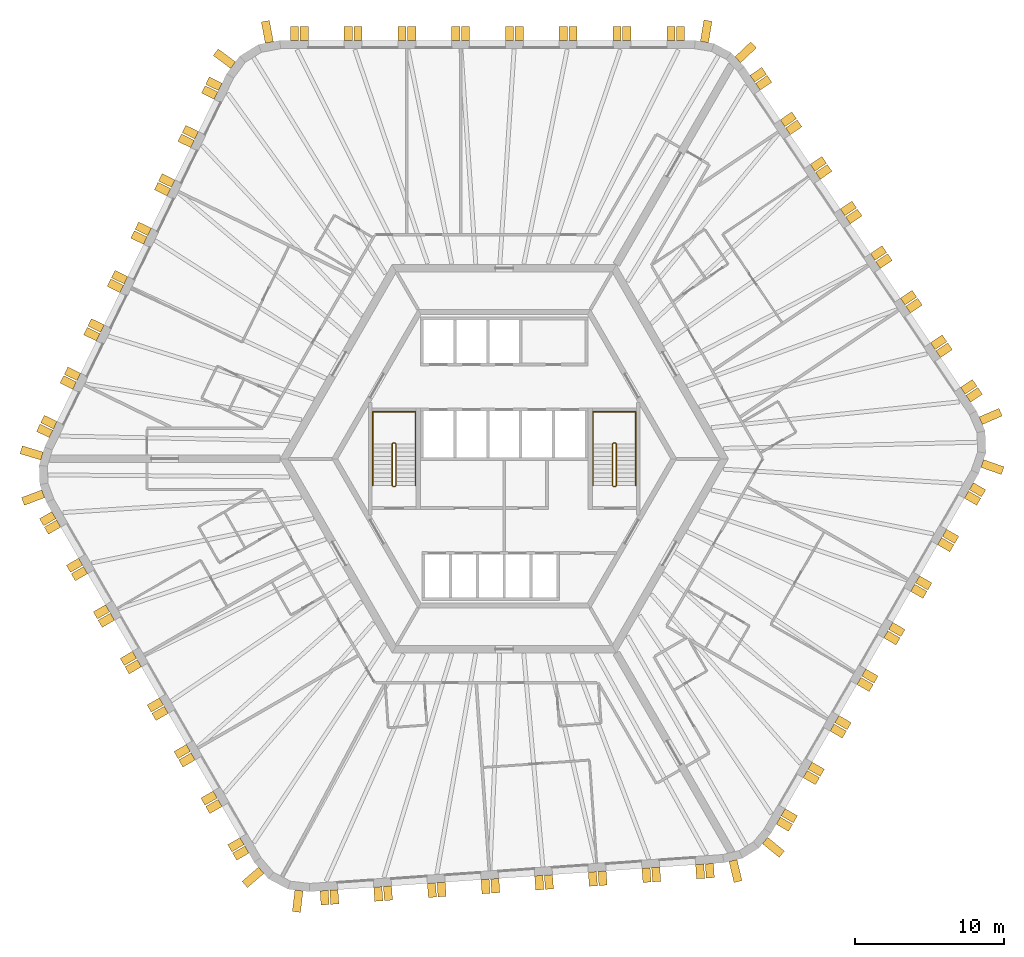
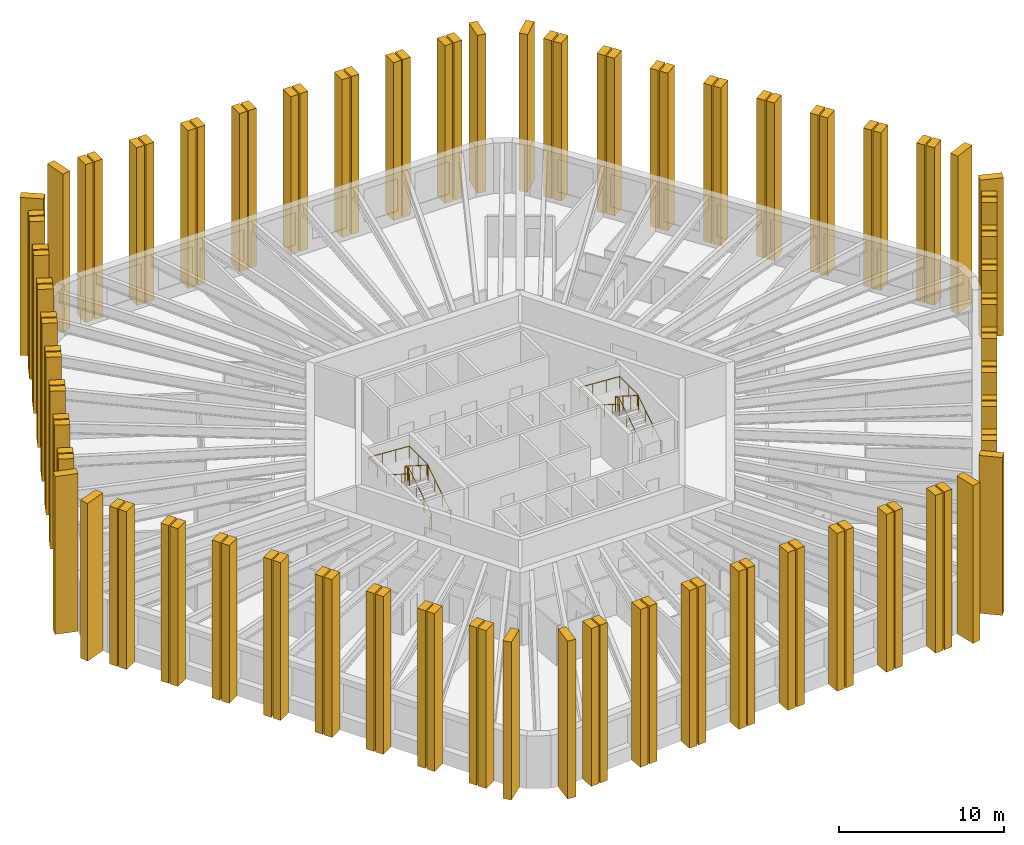
# One storey, part 10 of 10: 108 shading devices, 4 railings.
"""IFC4 building model written with IfcOpenShell, lengths in metres."""

from ifc_helpers import new_model, si_unit, direction, frame, origin, origin_2d, place, context, subcontext, project, spatial, polyline, circle, outline, extrude, material, layer, layer_set, type_object, element, save


model = new_model("IFC4")

# Units and contexts
model_context = context("Model", 3, precision=1e-05, world=origin(), true_north=direction((0.0, 1.0)))
body_context = subcontext(model_context, "Body", "Model", "MODEL_VIEW")
ifc_project = project(units=[si_unit("LENGTHUNIT", "METRE"), si_unit("AREAUNIT", "SQUARE_METRE"), si_unit("VOLUMEUNIT", "CUBIC_METRE"), si_unit("PLANEANGLEUNIT", "RADIAN"), si_unit("MASSUNIT", "GRAM", prefix="KILO")], contexts=[model_context])

# Site, building, storey
site_placement = place(None, origin())
site = spatial("IfcSite", under=ifc_project, at=site_placement, CompositionType="ELEMENT")
building_placement = place(site_placement, origin())
building = spatial("IfcBuilding", under=site, at=building_placement, Name="Tarnside Tower", CompositionType="ELEMENT")
storey_placement = place(building_placement, frame((0.0, 0.0, 164.39990234375)))
storey = spatial("IfcBuildingStorey", under=building, at=storey_placement, Name="L38", CompositionType="ELEMENT", Elevation=164.39990234375)

# Shading devices
ifc_material_1 = material(Name="Concrete C50/60 white precast", Category="concrete")
ifc_layer_1 = layer(ifc_material_1, 0.550048828125)
ifc_layer_set_1 = layer_set([ifc_layer_1], Name="Precast fin 550 x 1450")
shading_device_type_1 = type_object("IfcShadingDeviceType", Name="Precast fin 550 x 1450", PredefinedType="USERDEFINED", material=ifc_layer_set_1)
for number, where, z_axis, x_axis, name in (
    (1, (-15.725341796875, 27.86767578125, -0.14990234375), (0.982720646705, 0.18509492305, 0.0), (-0.18509492305, 0.982720646705, 0.0), "Precast fin"),
    (2, (-18.15380859375, 26.35009765625, -0.14990234375), (0.597158591707, 0.802123192752, 0.0), (-0.802123192752, 0.597158591707, 0.0), "Precast fin"),
    (3, (-30.949951171875, 0.184326171875, -0.14990234375), (0.286803232717, 0.957989512314, 0.0), (-0.957989512314, 0.286803232717, 0.0), "Precast fin"),
    (4, (-30.861572265625, -2.343017578125, -0.14990234375), (-0.352930564719, 0.935649515837, 0.0), (-0.935649515837, -0.352930564719, 0.0), "Precast fin"),
    (5, (-16.271484375, -27.55224609375, -0.14990234375), (-0.651657228826, 0.758513583345, 0.0), (-0.758513583345, -0.651657228826, 0.0), "Precast fin"),
    (6, (-13.7431640625, -28.896728515625, -0.14990234375), (-0.993238357741, 0.116092914131, 0.0), (-0.116092914131, -0.993238357741, 0.0), "Precast fin"),
    (7, (15.315185546875, -26.8955078125, -0.14990234375), (-0.973044870581, -0.230615870737, 0.0), (0.230615870737, -0.973044870581, 0.0), "Precast fin"),
    (8, (17.4599609375, -25.555419921875, -0.14990234375), (-0.633830967394, -0.773471592738, 0.0), (0.773471592738, -0.633830967394, 0.0), "Precast fin"),
    (9, (31.996826171875, -0.315185546875, -0.14990234375), (-0.331063417879, -0.943608506396, 0.0), (0.943608506396, -0.331063417879, 0.0), "Precast fin"),
    (10, (31.896728515625, 2.54638671875, -0.14990234375), (0.396079766034, -0.918216106883, 0.0), (0.918216106883, 0.396079766034, 0.0), "Precast fin"),
    (11, (15.634765625, 26.711181640625, -0.14990234375), (0.686241637865, -0.727373641577, 0.0), (0.727373641577, 0.686241637865, 0.0), "Precast fin"),
    (12, (13.40185546875, 27.8984375, -0.14990234375), (0.986761532114, -0.1621779231, 0.0), (0.1621779231, 0.986761532114, 0.0), "Precast fin"),
):
    element("IfcShadingDevice", number, at=place(storey_placement, frame(where, z_axis=z_axis, x_axis=x_axis)), inside=storey, type_object=shading_device_type_1, Name=name, ObjectType="FIN", PredefinedType="USERDEFINED", context=body_context, shape_type="SweptSolid", body=[
        extrude(outline(polyline([(0.0, 0.0), (1.449951171875, 0.0), (1.449951171875, 11.699951171875), (0.0, 11.699951171875), (0.0, 0.0)])), frame((0.0, 0.0, -0.27490234375)), (0.0, 0.0, 1.0), 0.550048828125),
    ])
ifc_layer_2 = layer(ifc_material_1, 0.550048828125)
ifc_layer_set_2 = layer_set([ifc_layer_2], Name="Precast fin 550 x 950")
shading_device_type_2 = type_object("IfcShadingDeviceType", Name="Precast fin 550 x 950", PredefinedType="USERDEFINED", material=ifc_layer_set_2)
for number, where, z_axis, x_axis, name in (
    (13, (11.80712890625, 28.0, -0.14990234375), (1.0, 0.0, 0.0), (0.0, 1.0, 0.0), "Precast fin"),
    (14, (11.1572265625, 28.0, -0.14990234375), (1.0, 0.0, 0.0), (0.0, 1.0, 0.0), "Precast fin"),
    (15, (8.20703125, 28.0, -0.14990234375), (1.0, 0.0, 0.0), (0.0, 1.0, 0.0), "Precast fin"),
    (16, (7.55712890625, 28.0, -0.14990234375), (1.0, 0.0, 0.0), (0.0, 1.0, 0.0), "Precast fin"),
    (17, (4.607177734375, 28.0, -0.14990234375), (1.0, 0.0, 0.0), (0.0, 1.0, 0.0), "Precast fin"),
    (18, (3.95703125, 28.0, -0.14990234375), (1.0, 0.0, 0.0), (0.0, 1.0, 0.0), "Precast fin"),
    (19, (1.007080078125, 28.0, -0.14990234375), (1.0, 0.0, 0.0), (0.0, 1.0, 0.0), "Precast fin"),
    (20, (0.357177734375, 28.0, -0.14990234375), (1.0, 0.0, 0.0), (0.0, 1.0, 0.0), "Precast fin"),
    (21, (-2.5927734375, 28.0, -0.14990234375), (1.0, 0.0, 0.0), (0.0, 1.0, 0.0), "Precast fin"),
    (22, (-3.242919921875, 28.0, -0.14990234375), (1.0, 0.0, 0.0), (0.0, 1.0, 0.0), "Precast fin"),
    (23, (-6.19287109375, 28.0, -0.14990234375), (1.0, 0.0, 0.0), (0.0, 1.0, 0.0), "Precast fin"),
    (24, (-6.8427734375, 28.0, -0.14990234375), (1.0, 0.0, 0.0), (0.0, 1.0, 0.0), "Precast fin"),
    (25, (-9.79296875, 28.0, -0.14990234375), (1.0, 0.0, 0.0), (0.0, 1.0, 0.0), "Precast fin"),
    (26, (-10.44287109375, 28.0, -0.14990234375), (1.0, 0.0, 0.0), (0.0, 1.0, 0.0), "Precast fin"),
    (27, (-13.392822265625, 28.0, -0.14990234375), (1.0, 0.0, 0.0), (0.0, 1.0, 0.0), "Precast fin"),
    (28, (-14.04296875, 28.0, -0.14990234375), (1.0, 0.0, 0.0), (0.0, 1.0, 0.0), "Precast fin"),
    (29, (-19.01025390625, 24.896240234375, -0.14990234375), (0.438371146789, 0.898794046299, 0.0), (-0.898794046299, 0.438371146789, 0.0), "Precast fin"),
    (30, (-19.295166015625, 24.31201171875, -0.14990234375), (0.438371146789, 0.898794046299, 0.0), (-0.898794046299, 0.438371146789, 0.0), "Precast fin"),
    (31, (-20.58837890625, 21.660400390625, -0.14990234375), (0.438371146789, 0.898794046299, 0.0), (-0.898794046299, 0.438371146789, 0.0), "Precast fin"),
    (32, (-20.873291015625, 21.076171875, -0.14990234375), (0.438371146789, 0.898794046299, 0.0), (-0.898794046299, 0.438371146789, 0.0), "Precast fin"),
    (33, (-22.16650390625, 18.4248046875, -0.14990234375), (0.438371146789, 0.898794046299, 0.0), (-0.898794046299, 0.438371146789, 0.0), "Precast fin"),
    (34, (-22.451416015625, 17.840576171875, -0.14990234375), (0.438371146789, 0.898794046299, 0.0), (-0.898794046299, 0.438371146789, 0.0), "Precast fin"),
    (35, (-23.74462890625, 15.189208984375, -0.14990234375), (0.438371146789, 0.898794046299, 0.0), (-0.898794046299, 0.438371146789, 0.0), "Precast fin"),
    (36, (-24.029541015625, 14.60498046875, -0.14990234375), (0.438371146789, 0.898794046299, 0.0), (-0.898794046299, 0.438371146789, 0.0), "Precast fin"),
    (37, (-25.32275390625, 11.953369140625, -0.14990234375), (0.438371146789, 0.898794046299, 0.0), (-0.898794046299, 0.438371146789, 0.0), "Precast fin"),
    (38, (-25.607666015625, 11.369384765625, -0.14990234375), (0.438371146789, 0.898794046299, 0.0), (-0.898794046299, 0.438371146789, 0.0), "Precast fin"),
    (39, (-26.90087890625, 8.7177734375, -0.14990234375), (0.438371146789, 0.898794046299, 0.0), (-0.898794046299, 0.438371146789, 0.0), "Precast fin"),
    (40, (-27.185791015625, 8.133544921875, -0.14990234375), (0.438371146789, 0.898794046299, 0.0), (-0.898794046299, 0.438371146789, 0.0), "Precast fin"),
    (41, (-28.47900390625, 5.482177734375, -0.14990234375), (0.438371146789, 0.898794046299, 0.0), (-0.898794046299, 0.438371146789, 0.0), "Precast fin"),
    (42, (-28.763916015625, 4.89794921875, -0.14990234375), (0.438371146789, 0.898794046299, 0.0), (-0.898794046299, 0.438371146789, 0.0), "Precast fin"),
    (43, (-30.05712890625, 2.24658203125, -0.14990234375), (0.438371146789, 0.898794046299, 0.0), (-0.898794046299, 0.438371146789, 0.0), "Precast fin"),
    (44, (-30.342041015625, 1.662353515625, -0.14990234375), (0.438371146789, 0.898794046299, 0.0), (-0.898794046299, 0.438371146789, 0.0), "Precast fin"),
    (45, (-30.15234375, -3.774658203125, -0.14990234375), (-0.5, 0.866025403784, 0.0), (-0.866025403784, -0.5, 0.0), "Precast fin"),
    (46, (-29.827392578125, -4.337646484375, -0.14990234375), (-0.5, 0.866025403784, 0.0), (-0.866025403784, -0.5, 0.0), "Precast fin"),
    (47, (-28.352294921875, -6.892333984375, -0.14990234375), (-0.5, 0.866025403784, 0.0), (-0.866025403784, -0.5, 0.0), "Precast fin"),
    (48, (-28.02734375, -7.455322265625, -0.14990234375), (-0.5, 0.866025403784, 0.0), (-0.866025403784, -0.5, 0.0), "Precast fin"),
    (49, (-26.55224609375, -10.010009765625, -0.14990234375), (-0.5, 0.866025403784, 0.0), (-0.866025403784, -0.5, 0.0), "Precast fin"),
    (50, (-26.227294921875, -10.572998046875, -0.14990234375), (-0.5, 0.866025403784, 0.0), (-0.866025403784, -0.5, 0.0), "Precast fin"),
    (51, (-24.752197265625, -13.127685546875, -0.14990234375), (-0.5, 0.866025403784, 0.0), (-0.866025403784, -0.5, 0.0), "Precast fin"),
    (52, (-24.42724609375, -13.690673828125, -0.14990234375), (-0.5, 0.866025403784, 0.0), (-0.866025403784, -0.5, 0.0), "Precast fin"),
    (53, (-22.952392578125, -16.24560546875, -0.14990234375), (-0.5, 0.866025403784, 0.0), (-0.866025403784, -0.5, 0.0), "Precast fin"),
    (54, (-22.627197265625, -16.808349609375, -0.14990234375), (-0.5, 0.866025403784, 0.0), (-0.866025403784, -0.5, 0.0), "Precast fin"),
    (55, (-21.15234375, -19.36328125, -0.14990234375), (-0.5, 0.866025403784, 0.0), (-0.866025403784, -0.5, 0.0), "Precast fin"),
    (56, (-20.827392578125, -19.926025390625, -0.14990234375), (-0.5, 0.866025403784, 0.0), (-0.866025403784, -0.5, 0.0), "Precast fin"),
    (57, (-19.352294921875, -22.48095703125, -0.14990234375), (-0.5, 0.866025403784, 0.0), (-0.866025403784, -0.5, 0.0), "Precast fin"),
    (58, (-19.02734375, -23.043701171875, -0.14990234375), (-0.5, 0.866025403784, 0.0), (-0.866025403784, -0.5, 0.0), "Precast fin"),
    (59, (-17.55224609375, -25.5986328125, -0.14990234375), (-0.5, 0.866025403784, 0.0), (-0.866025403784, -0.5, 0.0), "Precast fin"),
    (60, (-17.227294921875, -26.161376953125, -0.14990234375), (-0.5, 0.866025403784, 0.0), (-0.866025403784, -0.5, 0.0), "Precast fin"),
    (61, (-12.0556640625, -28.911376953125, -0.14990234375), (-0.99756405026, -0.069756473744, 0.0), (0.069756473744, -0.99756405026, 0.0), "Precast fin"),
    (62, (-11.4072265625, -28.865966796875, -0.14990234375), (-0.99756405026, -0.069756473744, 0.0), (0.069756473744, -0.99756405026, 0.0), "Precast fin"),
    (63, (-8.46435546875, -28.66015625, -0.14990234375), (-0.99756405026, -0.069756473744, 0.0), (0.069756473744, -0.99756405026, 0.0), "Precast fin"),
    (64, (-7.81591796875, -28.614990234375, -0.14990234375), (-0.99756405026, -0.069756473744, 0.0), (0.069756473744, -0.99756405026, 0.0), "Precast fin"),
    (65, (-4.873046875, -28.4091796875, -0.14990234375), (-0.99756405026, -0.069756473744, 0.0), (0.069756473744, -0.99756405026, 0.0), "Precast fin"),
    (66, (-4.224609375, -28.36376953125, -0.14990234375), (-0.99756405026, -0.069756473744, 0.0), (0.069756473744, -0.99756405026, 0.0), "Precast fin"),
    (67, (-1.281982421875, -28.157958984375, -0.14990234375), (-0.99756405026, -0.069756473744, 0.0), (0.069756473744, -0.99756405026, 0.0), "Precast fin"),
    (68, (-0.633544921875, -28.112548828125, -0.14990234375), (-0.99756405026, -0.069756473744, 0.0), (0.069756473744, -0.99756405026, 0.0), "Precast fin"),
    (69, (2.309326171875, -27.906982421875, -0.14990234375), (-0.99756405026, -0.069756473744, 0.0), (0.069756473744, -0.99756405026, 0.0), "Precast fin"),
    (70, (2.957763671875, -27.861572265625, -0.14990234375), (-0.99756405026, -0.069756473744, 0.0), (0.069756473744, -0.99756405026, 0.0), "Precast fin"),
    (71, (5.900634765625, -27.65576171875, -0.14990234375), (-0.99756405026, -0.069756473744, 0.0), (0.069756473744, -0.99756405026, 0.0), "Precast fin"),
    (72, (6.549072265625, -27.6103515625, -0.14990234375), (-0.99756405026, -0.069756473744, 0.0), (0.069756473744, -0.99756405026, 0.0), "Precast fin"),
    (73, (9.49169921875, -27.404541015625, -0.14990234375), (-0.99756405026, -0.069756473744, 0.0), (0.069756473744, -0.99756405026, 0.0), "Precast fin"),
    (74, (10.14013671875, -27.359375, -0.14990234375), (-0.99756405026, -0.069756473744, 0.0), (0.069756473744, -0.99756405026, 0.0), "Precast fin"),
    (75, (13.0830078125, -27.153564453125, -0.14990234375), (-0.99756405026, -0.069756473744, 0.0), (0.069756473744, -0.99756405026, 0.0), "Precast fin"),
    (76, (13.7314453125, -27.108154296875, -0.14990234375), (-0.99756405026, -0.069756473744, 0.0), (0.069756473744, -0.99756405026, 0.0), "Precast fin"),
    (77, (18.34521484375, -24.225341796875, -0.14990234375), (-0.5, -0.866025403784, 0.0), (0.866025403784, -0.5, 0.0), "Precast fin"),
    (78, (18.670166015625, -23.662353515625, -0.14990234375), (-0.5, -0.866025403784, 0.0), (0.866025403784, -0.5, 0.0), "Precast fin"),
    (79, (20.145263671875, -21.107666015625, -0.14990234375), (-0.5, -0.866025403784, 0.0), (0.866025403784, -0.5, 0.0), "Precast fin"),
    (80, (20.47021484375, -20.544677734375, -0.14990234375), (-0.5, -0.866025403784, 0.0), (0.866025403784, -0.5, 0.0), "Precast fin"),
    (81, (21.945068359375, -17.989990234375, -0.14990234375), (-0.5, -0.866025403784, 0.0), (0.866025403784, -0.5, 0.0), "Precast fin"),
    (82, (22.270263671875, -17.427001953125, -0.14990234375), (-0.5, -0.866025403784, 0.0), (0.866025403784, -0.5, 0.0), "Precast fin"),
    (83, (23.7451171875, -14.872314453125, -0.14990234375), (-0.5, -0.866025403784, 0.0), (0.866025403784, -0.5, 0.0), "Precast fin"),
    (84, (24.070068359375, -14.309326171875, -0.14990234375), (-0.5, -0.866025403784, 0.0), (0.866025403784, -0.5, 0.0), "Precast fin"),
    (85, (25.545166015625, -11.75439453125, -0.14990234375), (-0.5, -0.866025403784, 0.0), (0.866025403784, -0.5, 0.0), "Precast fin"),
    (86, (25.8701171875, -11.191650390625, -0.14990234375), (-0.5, -0.866025403784, 0.0), (0.866025403784, -0.5, 0.0), "Precast fin"),
    (87, (27.34521484375, -8.63671875, -0.14990234375), (-0.5, -0.866025403784, 0.0), (0.866025403784, -0.5, 0.0), "Precast fin"),
    (88, (27.670166015625, -8.073974609375, -0.14990234375), (-0.5, -0.866025403784, 0.0), (0.866025403784, -0.5, 0.0), "Precast fin"),
    (89, (29.145263671875, -5.51904296875, -0.14990234375), (-0.5, -0.866025403784, 0.0), (0.866025403784, -0.5, 0.0), "Precast fin"),
    (90, (29.47021484375, -4.956298828125, -0.14990234375), (-0.5, -0.866025403784, 0.0), (0.866025403784, -0.5, 0.0), "Precast fin"),
    (91, (30.945068359375, -2.4013671875, -0.14990234375), (-0.5, -0.866025403784, 0.0), (0.866025403784, -0.5, 0.0), "Precast fin"),
    (92, (31.270263671875, -1.838623046875, -0.14990234375), (-0.5, -0.866025403784, 0.0), (0.866025403784, -0.5, 0.0), "Precast fin"),
    (93, (31.065673828125, 4.01513671875, -0.14990234375), (0.559192903471, -0.829037572555, 0.0), (0.829037572555, 0.559192903471, 0.0), "Precast fin"),
    (94, (30.702392578125, 4.55419921875, -0.14990234375), (0.559192903471, -0.829037572555, 0.0), (0.829037572555, 0.559192903471, 0.0), "Precast fin"),
    (95, (29.052734375, 6.999755859375, -0.14990234375), (0.559192903471, -0.829037572555, 0.0), (0.829037572555, 0.559192903471, 0.0), "Precast fin"),
    (96, (28.689208984375, 7.53857421875, -0.14990234375), (0.559192903471, -0.829037572555, 0.0), (0.829037572555, 0.559192903471, 0.0), "Precast fin"),
    (97, (27.03955078125, 9.984375, -0.14990234375), (0.559192903471, -0.829037572555, 0.0), (0.829037572555, 0.559192903471, 0.0), "Precast fin"),
    (98, (26.676025390625, 10.523193359375, -0.14990234375), (0.559192903471, -0.829037572555, 0.0), (0.829037572555, 0.559192903471, 0.0), "Precast fin"),
    (99, (25.026611328125, 12.96875, -0.14990234375), (0.559192903471, -0.829037572555, 0.0), (0.829037572555, 0.559192903471, 0.0), "Precast fin"),
    (100, (24.6630859375, 13.5078125, -0.14990234375), (0.559192903471, -0.829037572555, 0.0), (0.829037572555, 0.559192903471, 0.0), "Precast fin"),
    (101, (23.013427734375, 15.953369140625, -0.14990234375), (0.559192903471, -0.829037572555, 0.0), (0.829037572555, 0.559192903471, 0.0), "Precast fin"),
    (102, (22.64990234375, 16.4921875, -0.14990234375), (0.559192903471, -0.829037572555, 0.0), (0.829037572555, 0.559192903471, 0.0), "Precast fin"),
    (103, (21.000244140625, 18.93798828125, -0.14990234375), (0.559192903471, -0.829037572555, 0.0), (0.829037572555, 0.559192903471, 0.0), "Precast fin"),
    (104, (20.63671875, 19.476806640625, -0.14990234375), (0.559192903471, -0.829037572555, 0.0), (0.829037572555, 0.559192903471, 0.0), "Precast fin"),
    (105, (18.9873046875, 21.92236328125, -0.14990234375), (0.559192903471, -0.829037572555, 0.0), (0.829037572555, 0.559192903471, 0.0), "Precast fin"),
    (106, (18.623779296875, 22.46142578125, -0.14990234375), (0.559192903471, -0.829037572555, 0.0), (0.829037572555, 0.559192903471, 0.0), "Precast fin"),
    (107, (16.97412109375, 24.906982421875, -0.14990234375), (0.559192903471, -0.829037572555, 0.0), (0.829037572555, 0.559192903471, 0.0), "Precast fin"),
    (108, (16.610595703125, 25.44580078125, -0.14990234375), (0.559192903471, -0.829037572555, 0.0), (0.829037572555, 0.559192903471, 0.0), "Precast fin"),
):
    element("IfcShadingDevice", number, at=place(storey_placement, frame(where, z_axis=z_axis, x_axis=x_axis)), inside=storey, type_object=shading_device_type_2, Name=name, ObjectType="FIN", PredefinedType="USERDEFINED", context=body_context, shape_type="SweptSolid", body=[
        extrude(outline(polyline([(0.0, 0.0), (0.949951171875, 0.0), (0.949951171875, 11.699951171875), (0.0, 11.699951171875), (0.0, 0.0)])), frame((0.0, 0.0, -0.27490234375)), (0.0, 0.0, 1.0), 0.550048828125),
    ])

# Railings
ifc_material_2 = material(Name="Stainless steel", Category="steel")
railing_type_1 = type_object("IfcRailingType", Name="Stair guard 1100", PredefinedType="GUARDRAIL", material=ifc_material_2)
railing_1_placement = place(storey_placement, frame((7.300048828125, -1.85009765625, 0.0)))
element("IfcRailing", 109, at=railing_1_placement, inside=storey, type_object=railing_type_1, Name="L38 ST1 stair guard 1", PredefinedType="GUARDRAIL", context=body_context, shape_type="SweptSolid", body=[
    extrude(circle(Radius=0.02392578125, at=origin_2d()), frame((0.0, 0.0, 1.076171875), z_axis=(1.0, 0.0, 0.0), x_axis=(0.0, 1.0, 0.0)), (0.0, 0.0, 1.0), 0.14990234375),
    extrude(circle(Radius=0.02392578125, at=origin_2d()), frame((0.14990234375, 0.0, 1.076171875), z_axis=(0.261922500866, 0.261922500866, 0.928866625022), x_axis=(-0.707106781187, 0.707106781187, 0.0)), (0.0, 0.0, 1.0), 0.191162109375),
    extrude(circle(Radius=0.02392578125, at=origin_2d()), frame((0.199951171875, 0.050048828125, 1.25341796875), z_axis=(0.0, 0.844908973607, 0.534910110503), x_axis=(-1.0, 0.0, 0.0)), (0.0, 0.0, 1.0), 3.31396484375),
    extrude(circle(Radius=0.02392578125, at=origin_2d()), frame((0.199951171875, 2.85009765625, 3.0263671875), z_axis=(-0.707106781187, 0.707106781187, 0.0), x_axis=(-0.707106781187, -0.707106781187, 0.0)), (0.0, 0.0, 1.0), 0.07080078125),
    extrude(circle(Radius=0.02392578125, at=origin_2d()), frame((0.14990234375, 2.900146484375, 3.0263671875), z_axis=(-1.0, 0.0, 0.0), x_axis=(0.0, -1.0, 0.0)), (0.0, 0.0, 1.0), 0.14990234375),
    extrude(circle(Radius=0.02392578125, at=origin_2d()), frame((0.0, 2.900146484375, 3.0263671875), z_axis=(-0.262233686654, -0.262233686654, 0.928691007369), x_axis=(0.707106781187, -0.707106781187, 0.0)), (0.0, 0.0, 1.0), 0.19091796875),
    extrude(circle(Radius=0.02392578125, at=origin_2d()), frame((-0.050048828125, 2.85009765625, 3.20361328125), z_axis=(0.0, -0.844908973607, 0.534910110503), x_axis=(1.0, 0.0, 0.0)), (0.0, 0.0, 1.0), 3.31396484375),
    extrude(circle(Radius=0.02099609375, at=origin_2d()), origin(), (0.0, 0.0, 1.0), 1.052001953125),
    extrude(circle(Radius=0.02099609375, at=origin_2d()), frame((0.14990234375, 0.0, 0.0)), (0.0, 0.0, 1.0), 1.052001953125),
    extrude(circle(Radius=0.02099609375, at=origin_2d()), frame((0.199951171875, 0.050048828125, 0.177490234375)), (0.0, 0.0, 1.0), 1.052001953125),
    extrude(circle(Radius=0.02099609375, at=origin_2d()), frame((0.199951171875, 0.9833984375, 0.768310546875)), (0.0, 0.0, 1.0), 1.052001953125),
    extrude(circle(Radius=0.02099609375, at=origin_2d()), frame((0.199951171875, 1.916748046875, 1.359375)), (0.0, 0.0, 1.0), 1.052001953125),
    extrude(circle(Radius=0.02099609375, at=origin_2d()), frame((0.199951171875, 2.85009765625, 1.9501953125)), (0.0, 0.0, 1.0), 1.052001953125),
    extrude(circle(Radius=0.02099609375, at=origin_2d()), frame((0.14990234375, 2.900146484375, 1.9501953125)), (0.0, 0.0, 1.0), 1.052001953125),
    extrude(circle(Radius=0.02099609375, at=origin_2d()), frame((0.0, 2.900146484375, 1.9501953125)), (0.0, 0.0, 1.0), 1.052001953125),
    extrude(circle(Radius=0.02099609375, at=origin_2d()), frame((-0.050048828125, 2.85009765625, 2.12744140625)), (0.0, 0.0, 1.0), 1.052001953125),
    extrude(circle(Radius=0.02099609375, at=origin_2d()), frame((-0.050048828125, 1.916748046875, 2.71826171875)), (0.0, 0.0, 1.0), 1.052001953125),
    extrude(circle(Radius=0.02099609375, at=origin_2d()), frame((-0.050048828125, 0.9833984375, 3.309326171875)), (0.0, 0.0, 1.0), 1.052001953125),
    extrude(circle(Radius=0.02099609375, at=origin_2d()), frame((-0.050048828125, 0.050048828125, 3.900146484375)), (0.0, 0.0, 1.0), 1.052001953125),
])
railing_2_placement = place(storey_placement, frame((-7.449951171875, -1.85009765625, 0.0)))
element("IfcRailing", 110, at=railing_2_placement, inside=storey, type_object=railing_type_1, Name="L38 ST2 stair guard 1", PredefinedType="GUARDRAIL", context=body_context, shape_type="SweptSolid", body=[
    extrude(circle(Radius=0.02392578125, at=origin_2d()), frame((0.0, 0.0, 1.076171875), z_axis=(1.0, 0.0, 0.0), x_axis=(0.0, 1.0, 0.0)), (0.0, 0.0, 1.0), 0.14990234375),
    extrude(circle(Radius=0.02392578125, at=origin_2d()), frame((0.14990234375, 0.0, 1.076171875), z_axis=(0.261922500866, 0.261922500866, 0.928866625022), x_axis=(-0.707106781187, 0.707106781187, 0.0)), (0.0, 0.0, 1.0), 0.191162109375),
    extrude(circle(Radius=0.02392578125, at=origin_2d()), frame((0.199951171875, 0.050048828125, 1.25341796875), z_axis=(0.0, 0.844908973607, 0.534910110503), x_axis=(-1.0, 0.0, 0.0)), (0.0, 0.0, 1.0), 3.31396484375),
    extrude(circle(Radius=0.02392578125, at=origin_2d()), frame((0.199951171875, 2.85009765625, 3.0263671875), z_axis=(-0.707106781187, 0.707106781187, 0.0), x_axis=(-0.707106781187, -0.707106781187, 0.0)), (0.0, 0.0, 1.0), 0.07080078125),
    extrude(circle(Radius=0.02392578125, at=origin_2d()), frame((0.14990234375, 2.900146484375, 3.0263671875), z_axis=(-1.0, 0.0, 0.0), x_axis=(0.0, -1.0, 0.0)), (0.0, 0.0, 1.0), 0.14990234375),
    extrude(circle(Radius=0.02392578125, at=origin_2d()), frame((0.0, 2.900146484375, 3.0263671875), z_axis=(-0.262233686654, -0.262233686654, 0.928691007369), x_axis=(0.707106781187, -0.707106781187, 0.0)), (0.0, 0.0, 1.0), 0.19091796875),
    extrude(circle(Radius=0.02392578125, at=origin_2d()), frame((-0.050048828125, 2.85009765625, 3.20361328125), z_axis=(0.0, -0.844908973607, 0.534910110503), x_axis=(1.0, 0.0, 0.0)), (0.0, 0.0, 1.0), 3.31396484375),
    extrude(circle(Radius=0.02099609375, at=origin_2d()), origin(), (0.0, 0.0, 1.0), 1.052001953125),
    extrude(circle(Radius=0.02099609375, at=origin_2d()), frame((0.14990234375, 0.0, 0.0)), (0.0, 0.0, 1.0), 1.052001953125),
    extrude(circle(Radius=0.02099609375, at=origin_2d()), frame((0.199951171875, 0.050048828125, 0.177490234375)), (0.0, 0.0, 1.0), 1.052001953125),
    extrude(circle(Radius=0.02099609375, at=origin_2d()), frame((0.199951171875, 0.9833984375, 0.768310546875)), (0.0, 0.0, 1.0), 1.052001953125),
    extrude(circle(Radius=0.02099609375, at=origin_2d()), frame((0.199951171875, 1.916748046875, 1.359375)), (0.0, 0.0, 1.0), 1.052001953125),
    extrude(circle(Radius=0.02099609375, at=origin_2d()), frame((0.199951171875, 2.85009765625, 1.9501953125)), (0.0, 0.0, 1.0), 1.052001953125),
    extrude(circle(Radius=0.02099609375, at=origin_2d()), frame((0.14990234375, 2.900146484375, 1.9501953125)), (0.0, 0.0, 1.0), 1.052001953125),
    extrude(circle(Radius=0.02099609375, at=origin_2d()), frame((0.0, 2.900146484375, 1.9501953125)), (0.0, 0.0, 1.0), 1.052001953125),
    extrude(circle(Radius=0.02099609375, at=origin_2d()), frame((-0.050048828125, 2.85009765625, 2.12744140625)), (0.0, 0.0, 1.0), 1.052001953125),
    extrude(circle(Radius=0.02099609375, at=origin_2d()), frame((-0.050048828125, 1.916748046875, 2.71826171875)), (0.0, 0.0, 1.0), 1.052001953125),
    extrude(circle(Radius=0.02099609375, at=origin_2d()), frame((-0.050048828125, 0.9833984375, 3.309326171875)), (0.0, 0.0, 1.0), 1.052001953125),
    extrude(circle(Radius=0.02099609375, at=origin_2d()), frame((-0.050048828125, 0.050048828125, 3.900146484375)), (0.0, 0.0, 1.0), 1.052001953125),
])
railing_type_2 = type_object("IfcRailingType", Name="Stair handrail 900", PredefinedType="HANDRAIL", material=ifc_material_2)
railing_3_placement = place(storey_placement, frame((8.800048828125, -1.800048828125, 0.177490234375)))
element("IfcRailing", 111, at=railing_3_placement, inside=storey, type_object=railing_type_2, Name="L38 ST1 stair handrail 1", PredefinedType="HANDRAIL", context=body_context, shape_type="SweptSolid", body=[
    extrude(circle(Radius=0.02392578125, at=origin_2d()), frame((0.0, 0.0, 0.8857421875), z_axis=(0.0, 0.844908973607, 0.534910110503), x_axis=(-1.0, 0.0, 0.0)), (0.0, 0.0, 1.0), 3.31396484375),
    extrude(circle(Radius=0.02392578125, at=origin_2d()), frame((0.0, 2.800048828125, 2.65869140625), z_axis=(0.0, 1.0, 0.0), x_axis=(-1.0, 0.0, 0.0)), (0.0, 0.0, 1.0), 2.14990234375),
    extrude(circle(Radius=0.02392578125, at=origin_2d()), frame((0.0, 4.949951171875, 2.65869140625), z_axis=(-0.998071825391, 0.0, 0.06206956872), x_axis=(0.0, -1.0, 0.0)), (0.0, 0.0, 1.0), 2.855712890625),
    extrude(circle(Radius=0.02392578125, at=origin_2d()), frame((-2.85009765625, 4.949951171875, 2.8359375), z_axis=(0.0, -1.0, 0.0), x_axis=(1.0, 0.0, 0.0)), (0.0, 0.0, 1.0), 2.14990234375),
    extrude(circle(Radius=0.02392578125, at=origin_2d()), frame((-2.85009765625, 2.800048828125, 2.8359375), z_axis=(0.0, -0.844908973607, 0.534910110503), x_axis=(1.0, 0.0, 0.0)), (0.0, 0.0, 1.0), 3.31396484375),
    extrude(circle(Radius=0.02099609375, at=origin_2d()), origin(), (0.0, 0.0, 1.0), 0.86181640625),
    extrude(circle(Radius=0.02099609375, at=origin_2d()), frame((0.0, 0.933349609375, 0.5908203125)), (0.0, 0.0, 1.0), 0.86181640625),
    extrude(circle(Radius=0.02099609375, at=origin_2d()), frame((0.0, 1.86669921875, 1.181884765625)), (0.0, 0.0, 1.0), 0.86181640625),
    extrude(circle(Radius=0.02099609375, at=origin_2d()), frame((0.0, 2.800048828125, 1.772705078125)), (0.0, 0.0, 1.0), 0.86181640625),
    extrude(circle(Radius=0.02099609375, at=origin_2d()), frame((0.0, 3.875, 1.772705078125)), (0.0, 0.0, 1.0), 0.86181640625),
    extrude(circle(Radius=0.02099609375, at=origin_2d()), frame((0.0, 4.949951171875, 1.772705078125)), (0.0, 0.0, 1.0), 0.86181640625),
    extrude(circle(Radius=0.02099609375, at=origin_2d()), frame((-0.949951171875, 4.949951171875, 1.831787109375)), (0.0, 0.0, 1.0), 0.86181640625),
    extrude(circle(Radius=0.02099609375, at=origin_2d()), frame((-1.900146484375, 4.949951171875, 1.890869140625)), (0.0, 0.0, 1.0), 0.86181640625),
    extrude(circle(Radius=0.02099609375, at=origin_2d()), frame((-2.85009765625, 4.949951171875, 1.949951171875)), (0.0, 0.0, 1.0), 0.86181640625),
    extrude(circle(Radius=0.02099609375, at=origin_2d()), frame((-2.85009765625, 3.875, 1.949951171875)), (0.0, 0.0, 1.0), 0.86181640625),
    extrude(circle(Radius=0.02099609375, at=origin_2d()), frame((-2.85009765625, 2.800048828125, 1.949951171875)), (0.0, 0.0, 1.0), 0.86181640625),
    extrude(circle(Radius=0.02099609375, at=origin_2d()), frame((-2.85009765625, 1.86669921875, 2.540771484375)), (0.0, 0.0, 1.0), 0.86181640625),
    extrude(circle(Radius=0.02099609375, at=origin_2d()), frame((-2.85009765625, 0.933349609375, 3.1318359375)), (0.0, 0.0, 1.0), 0.86181640625),
    extrude(circle(Radius=0.02099609375, at=origin_2d()), frame((-2.85009765625, 0.0, 3.72265625)), (0.0, 0.0, 1.0), 0.86181640625),
])
railing_4_placement = place(storey_placement, frame((-5.949951171875, -1.800048828125, 0.177490234375)))
element("IfcRailing", 112, at=railing_4_placement, inside=storey, type_object=railing_type_2, Name="L38 ST2 stair handrail 1", PredefinedType="HANDRAIL", context=body_context, shape_type="SweptSolid", body=[
    extrude(circle(Radius=0.02392578125, at=origin_2d()), frame((0.0, 0.0, 0.8857421875), z_axis=(0.0, 0.844908973607, 0.534910110503), x_axis=(-1.0, 0.0, 0.0)), (0.0, 0.0, 1.0), 3.31396484375),
    extrude(circle(Radius=0.02392578125, at=origin_2d()), frame((0.0, 2.800048828125, 2.65869140625), z_axis=(0.0, 1.0, 0.0), x_axis=(-1.0, 0.0, 0.0)), (0.0, 0.0, 1.0), 2.14990234375),
    extrude(circle(Radius=0.02392578125, at=origin_2d()), frame((0.0, 4.949951171875, 2.65869140625), z_axis=(-0.998071825391, 0.0, 0.06206956872), x_axis=(0.0, -1.0, 0.0)), (0.0, 0.0, 1.0), 2.855712890625),
    extrude(circle(Radius=0.02392578125, at=origin_2d()), frame((-2.85009765625, 4.949951171875, 2.8359375), z_axis=(0.0, -1.0, 0.0), x_axis=(1.0, 0.0, 0.0)), (0.0, 0.0, 1.0), 2.14990234375),
    extrude(circle(Radius=0.02392578125, at=origin_2d()), frame((-2.85009765625, 2.800048828125, 2.8359375), z_axis=(0.0, -0.844908973607, 0.534910110503), x_axis=(1.0, 0.0, 0.0)), (0.0, 0.0, 1.0), 3.31396484375),
    extrude(circle(Radius=0.02099609375, at=origin_2d()), origin(), (0.0, 0.0, 1.0), 0.86181640625),
    extrude(circle(Radius=0.02099609375, at=origin_2d()), frame((0.0, 0.933349609375, 0.5908203125)), (0.0, 0.0, 1.0), 0.86181640625),
    extrude(circle(Radius=0.02099609375, at=origin_2d()), frame((0.0, 1.86669921875, 1.181884765625)), (0.0, 0.0, 1.0), 0.86181640625),
    extrude(circle(Radius=0.02099609375, at=origin_2d()), frame((0.0, 2.800048828125, 1.772705078125)), (0.0, 0.0, 1.0), 0.86181640625),
    extrude(circle(Radius=0.02099609375, at=origin_2d()), frame((0.0, 3.875, 1.772705078125)), (0.0, 0.0, 1.0), 0.86181640625),
    extrude(circle(Radius=0.02099609375, at=origin_2d()), frame((0.0, 4.949951171875, 1.772705078125)), (0.0, 0.0, 1.0), 0.86181640625),
    extrude(circle(Radius=0.02099609375, at=origin_2d()), frame((-0.949951171875, 4.949951171875, 1.831787109375)), (0.0, 0.0, 1.0), 0.86181640625),
    extrude(circle(Radius=0.02099609375, at=origin_2d()), frame((-1.900146484375, 4.949951171875, 1.890869140625)), (0.0, 0.0, 1.0), 0.86181640625),
    extrude(circle(Radius=0.02099609375, at=origin_2d()), frame((-2.85009765625, 4.949951171875, 1.949951171875)), (0.0, 0.0, 1.0), 0.86181640625),
    extrude(circle(Radius=0.02099609375, at=origin_2d()), frame((-2.85009765625, 3.875, 1.949951171875)), (0.0, 0.0, 1.0), 0.86181640625),
    extrude(circle(Radius=0.02099609375, at=origin_2d()), frame((-2.85009765625, 2.800048828125, 1.949951171875)), (0.0, 0.0, 1.0), 0.86181640625),
    extrude(circle(Radius=0.02099609375, at=origin_2d()), frame((-2.85009765625, 1.86669921875, 2.540771484375)), (0.0, 0.0, 1.0), 0.86181640625),
    extrude(circle(Radius=0.02099609375, at=origin_2d()), frame((-2.85009765625, 0.933349609375, 3.1318359375)), (0.0, 0.0, 1.0), 0.86181640625),
    extrude(circle(Radius=0.02099609375, at=origin_2d()), frame((-2.85009765625, 0.0, 3.72265625)), (0.0, 0.0, 1.0), 0.86181640625),
])

save(model, "model.ifc")
